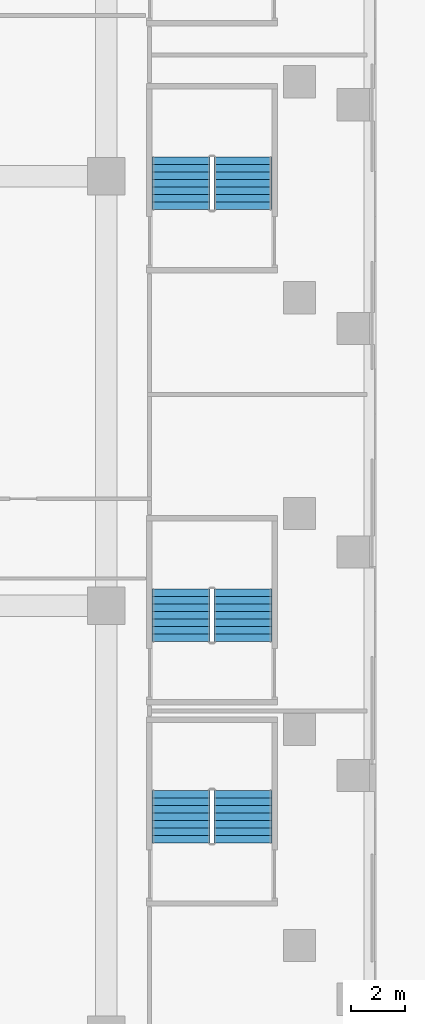
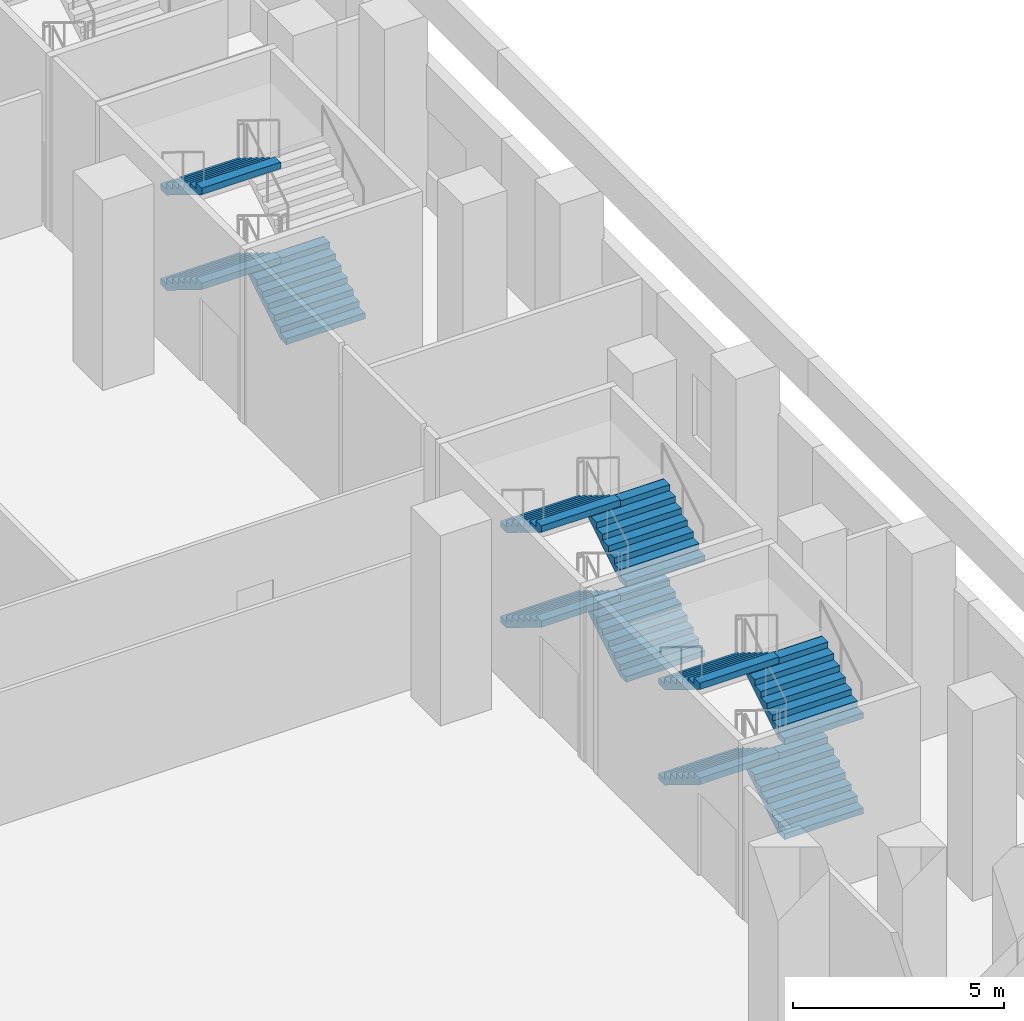
# One storey, part 16 of 22: 11 stair flights, 3 elements without a shape of their own.
"""IFC4 building model written with IfcOpenShell, lengths in metres."""

from ifc_helpers import new_model, si_unit, direction, frame, origin, place, context, subcontext, project, spatial, faceted_brep, source, transform, mapped, material, type_object, element, aggregate, save


model = new_model("IFC4")

# Units and contexts
model_context = context("Model", 3, precision=1e-05, world=origin(), true_north=direction((0.0, 1.0)))
body_context = subcontext(model_context, "Body", "Model", "MODEL_VIEW")
ifc_project = project(units=[si_unit("LENGTHUNIT", "METRE"), si_unit("AREAUNIT", "SQUARE_METRE"), si_unit("VOLUMEUNIT", "CUBIC_METRE"), si_unit("PLANEANGLEUNIT", "RADIAN"), si_unit("MASSUNIT", "GRAM", prefix="KILO")], contexts=[model_context])

# Site, building, storey
site_placement = place(None, origin())
site = spatial("IfcSite", under=ifc_project, at=site_placement, CompositionType="ELEMENT")
building_placement = place(site_placement, origin())
building = spatial("IfcBuilding", under=site, at=building_placement, Name="Calabash Gate Tower", CompositionType="ELEMENT")
storey_placement = place(building_placement, frame((0.0, 0.0, 34.5)))
storey = spatial("IfcBuildingStorey", under=building, at=storey_placement, Name="L04", CompositionType="ELEMENT", Elevation=34.5)

# Stair, stair flights
ifc_material_1 = material(Name="Concrete C40/50", Category="concrete")
stair_type = type_object("IfcStairType", Name="Public stair 32 risers of 171.9 mm", PredefinedType="HALF_TURN_STAIR", material=ifc_material_1)
stair_1_placement = place(storey_placement, origin())
stair_1 = element("IfcStair", 1, at=stair_1_placement, inside=storey, type_object=stair_type, Name="L04 Public Stair PS6", PredefinedType="HALF_TURN_STAIR")
ifc_material_2 = material(Name="Concrete C40/50", Category="concrete")
stair_flight_type = type_object("IfcStairFlightType", Name="Exit stair flight SFL", PredefinedType="STRAIGHT", material=ifc_material_2)
shared_shape = source(origin(), body_context, "Body", "Brep", [
    faceted_brep([(-0.0009765625, -1.080078125, 0.0), (0.285888671875, -1.080078125, 0.0), (1.9541015625, -1.080078125, 1.027099609375), (-0.0009765625, 1.080078125, 0.0), (1.9541015625, 1.080078125, 1.027099609375), (0.285888671875, 1.080078125, 0.0), (1.9541015625, -1.080078125, 1.215087890625), (1.952880859375, -1.080078125, 1.215087890625), (1.952880859375, 1.080078125, 1.215087890625), (1.9541015625, 1.080078125, 1.215087890625), (1.952880859375, -1.080078125, 1.203125), (1.952880859375, 1.080078125, 1.203125), (1.674072265625, -1.080078125, 1.203125), (1.674072265625, 1.080078125, 1.203125), (1.674072265625, -1.080078125, 1.03125), (1.674072265625, 1.080078125, 1.03125), (1.39501953125, -1.080078125, 1.03125), (1.39501953125, 1.080078125, 1.03125), (1.39501953125, -1.080078125, 0.859375), (1.39501953125, 1.080078125, 0.859375), (1.115966796875, -1.080078125, 0.859375), (1.115966796875, -1.080078125, 0.6875), (1.115966796875, 1.080078125, 0.6875), (1.115966796875, 1.080078125, 0.859375), (0.8369140625, -1.080078125, 0.6875), (0.8369140625, -1.080078125, 0.515625), (0.8369140625, 1.080078125, 0.515625), (0.8369140625, 1.080078125, 0.6875), (0.55810546875, -1.080078125, 0.515625), (0.55810546875, -1.080078125, 0.34375), (0.55810546875, 1.080078125, 0.34375), (0.55810546875, 1.080078125, 0.515625), (0.279052734375, -1.080078125, 0.34375), (0.279052734375, -1.080078125, 0.171875), (0.279052734375, 1.080078125, 0.171875), (0.279052734375, 1.080078125, 0.34375), (-0.0009765625, -1.080078125, 0.171875), (-0.0009765625, 1.080078125, 0.171875), (0.285888671875, -0.431884765625, 0.0), (1.9541015625, -0.431884765625, 1.027099609375), (0.285888671875, -0.370361328125, 0.0), (1.9541015625, -0.370361328125, 1.027099609375), (0.285888671875, -0.30859375, 0.0), (1.9541015625, -0.30859375, 1.027099609375), (0.285888671875, -0.246826171875, 0.0), (1.9541015625, -0.246826171875, 1.027099609375), (0.285888671875, -0.18505859375, 0.0), (1.9541015625, -0.18505859375, 1.027099609375), (0.285888671875, -0.12353515625, 0.0), (1.9541015625, -0.12353515625, 1.027099609375), (0.285888671875, -0.061767578125, 0.0), (1.9541015625, -0.061767578125, 1.027099609375), (0.285888671875, 0.0, 0.0), (1.9541015625, 0.0, 1.027099609375), (0.285888671875, 0.061767578125, 0.0), (1.9541015625, 0.061767578125, 1.027099609375), (0.285888671875, 0.12353515625, 0.0), (1.9541015625, 0.12353515625, 1.027099609375), (0.285888671875, 0.18505859375, 0.0), (1.9541015625, 0.18505859375, 1.027099609375), (0.285888671875, 0.246826171875, 0.0), (1.9541015625, 0.246826171875, 1.027099609375), (0.285888671875, 0.30859375, 0.0), (1.9541015625, 0.30859375, 1.027099609375), (0.285888671875, 0.370361328125, 0.0), (1.9541015625, 0.370361328125, 1.027099609375), (0.285888671875, 0.431884765625, 0.0), (1.9541015625, 0.431884765625, 1.027099609375), (1.9541015625, -0.431884765625, 1.215087890625), (1.9541015625, -0.370361328125, 1.215087890625), (1.9541015625, -0.30859375, 1.215087890625), (1.9541015625, -0.246826171875, 1.215087890625), (1.9541015625, -0.18505859375, 1.215087890625), (1.9541015625, -0.12353515625, 1.215087890625), (1.9541015625, -0.061767578125, 1.215087890625), (1.9541015625, 0.0, 1.215087890625), (1.9541015625, 0.061767578125, 1.215087890625), (1.9541015625, 0.12353515625, 1.215087890625), (1.9541015625, 0.18505859375, 1.215087890625), (1.9541015625, 0.246826171875, 1.215087890625), (1.9541015625, 0.30859375, 1.215087890625), (1.9541015625, 0.370361328125, 1.215087890625), (1.9541015625, 0.431884765625, 1.215087890625), (1.952880859375, -0.431884765625, 1.215087890625), (1.952880859375, -0.370361328125, 1.215087890625), (1.952880859375, -0.30859375, 1.215087890625), (1.952880859375, -0.246826171875, 1.215087890625), (1.952880859375, -0.18505859375, 1.215087890625), (1.952880859375, -0.12353515625, 1.215087890625), (1.952880859375, -0.061767578125, 1.215087890625), (1.952880859375, 0.0, 1.215087890625), (1.952880859375, 0.061767578125, 1.215087890625), (1.952880859375, 0.12353515625, 1.215087890625), (1.952880859375, 0.18505859375, 1.215087890625), (1.952880859375, 0.246826171875, 1.215087890625), (1.952880859375, 0.30859375, 1.215087890625), (1.952880859375, 0.370361328125, 1.215087890625), (1.952880859375, 0.431884765625, 1.215087890625), (1.952880859375, -0.431884765625, 1.203125), (1.952880859375, -0.370361328125, 1.203125), (1.952880859375, -0.30859375, 1.203125), (1.952880859375, -0.246826171875, 1.203125), (1.952880859375, -0.18505859375, 1.203125), (1.952880859375, -0.12353515625, 1.203125), (1.952880859375, -0.061767578125, 1.203125), (1.952880859375, 0.0, 1.203125), (1.952880859375, 0.061767578125, 1.203125), (1.952880859375, 0.12353515625, 1.203125), (1.952880859375, 0.18505859375, 1.203125), (1.952880859375, 0.246826171875, 1.203125), (1.952880859375, 0.30859375, 1.203125), (1.952880859375, 0.370361328125, 1.203125), (1.952880859375, 0.431884765625, 1.203125), (1.674072265625, -0.431884765625, 1.203125), (1.674072265625, -0.370361328125, 1.203125), (1.674072265625, -0.30859375, 1.203125), (1.674072265625, -0.246826171875, 1.203125), (1.674072265625, -0.18505859375, 1.203125), (1.674072265625, -0.12353515625, 1.203125), (1.674072265625, -0.061767578125, 1.203125), (1.674072265625, 0.0, 1.203125), (1.674072265625, 0.061767578125, 1.203125), (1.674072265625, 0.12353515625, 1.203125), (1.674072265625, 0.18505859375, 1.203125), (1.674072265625, 0.246826171875, 1.203125), (1.674072265625, 0.30859375, 1.203125), (1.674072265625, 0.370361328125, 1.203125), (1.674072265625, 0.431884765625, 1.203125), (1.674072265625, -0.431884765625, 1.03125), (1.674072265625, -0.370361328125, 1.03125), (1.674072265625, -0.30859375, 1.03125), (1.674072265625, -0.246826171875, 1.03125), (1.674072265625, -0.18505859375, 1.03125), (1.674072265625, -0.12353515625, 1.03125), (1.674072265625, -0.061767578125, 1.03125), (1.674072265625, 0.0, 1.03125), (1.674072265625, 0.061767578125, 1.03125), (1.674072265625, 0.12353515625, 1.03125), (1.674072265625, 0.18505859375, 1.03125), (1.674072265625, 0.246826171875, 1.03125), (1.674072265625, 0.30859375, 1.03125), (1.674072265625, 0.370361328125, 1.03125), (1.674072265625, 0.431884765625, 1.03125), (1.39501953125, -0.431884765625, 1.03125), (1.39501953125, -0.370361328125, 1.03125), (1.39501953125, -0.30859375, 1.03125), (1.39501953125, -0.246826171875, 1.03125), (1.39501953125, -0.18505859375, 1.03125), (1.39501953125, -0.12353515625, 1.03125), (1.39501953125, -0.061767578125, 1.03125), (1.39501953125, 0.0, 1.03125), (1.39501953125, 0.061767578125, 1.03125), (1.39501953125, 0.12353515625, 1.03125), (1.39501953125, 0.18505859375, 1.03125), (1.39501953125, 0.246826171875, 1.03125), (1.39501953125, 0.30859375, 1.03125), (1.39501953125, 0.370361328125, 1.03125), (1.39501953125, 0.431884765625, 1.03125), (1.39501953125, -0.431884765625, 0.859375), (1.39501953125, -0.370361328125, 0.859375), (1.39501953125, -0.30859375, 0.859375), (1.39501953125, -0.246826171875, 0.859375), (1.39501953125, -0.18505859375, 0.859375), (1.39501953125, -0.12353515625, 0.859375), (1.39501953125, -0.061767578125, 0.859375), (1.39501953125, 0.0, 0.859375), (1.39501953125, 0.061767578125, 0.859375), (1.39501953125, 0.12353515625, 0.859375), (1.39501953125, 0.18505859375, 0.859375), (1.39501953125, 0.246826171875, 0.859375), (1.39501953125, 0.30859375, 0.859375), (1.39501953125, 0.370361328125, 0.859375), (1.39501953125, 0.431884765625, 0.859375), (1.115966796875, -0.431884765625, 0.859375), (1.115966796875, -0.370361328125, 0.859375), (1.115966796875, -0.30859375, 0.859375), (1.115966796875, -0.246826171875, 0.859375), (1.115966796875, -0.18505859375, 0.859375), (1.115966796875, -0.12353515625, 0.859375), (1.115966796875, -0.061767578125, 0.859375), (1.115966796875, 0.0, 0.859375), (1.115966796875, 0.061767578125, 0.859375), (1.115966796875, 0.12353515625, 0.859375), (1.115966796875, 0.18505859375, 0.859375), (1.115966796875, 0.246826171875, 0.859375), (1.115966796875, 0.30859375, 0.859375), (1.115966796875, 0.370361328125, 0.859375), (1.115966796875, 0.431884765625, 0.859375), (1.115966796875, -0.431884765625, 0.6875), (1.115966796875, -0.370361328125, 0.6875), (1.115966796875, -0.30859375, 0.6875), (1.115966796875, -0.246826171875, 0.6875), (1.115966796875, -0.18505859375, 0.6875), (1.115966796875, -0.12353515625, 0.6875), (1.115966796875, -0.061767578125, 0.6875), (1.115966796875, 0.0, 0.6875), (1.115966796875, 0.061767578125, 0.6875), (1.115966796875, 0.12353515625, 0.6875), (1.115966796875, 0.18505859375, 0.6875), (1.115966796875, 0.246826171875, 0.6875), (1.115966796875, 0.30859375, 0.6875), (1.115966796875, 0.370361328125, 0.6875), (1.115966796875, 0.431884765625, 0.6875), (0.8369140625, -0.431884765625, 0.6875), (0.8369140625, -0.370361328125, 0.6875), (0.8369140625, -0.30859375, 0.6875), (0.8369140625, -0.246826171875, 0.6875), (0.8369140625, -0.18505859375, 0.6875), (0.8369140625, -0.12353515625, 0.6875), (0.8369140625, -0.061767578125, 0.6875), (0.8369140625, 0.0, 0.6875), (0.8369140625, 0.061767578125, 0.6875), (0.8369140625, 0.12353515625, 0.6875), (0.8369140625, 0.18505859375, 0.6875), (0.8369140625, 0.246826171875, 0.6875), (0.8369140625, 0.30859375, 0.6875), (0.8369140625, 0.370361328125, 0.6875), (0.8369140625, 0.431884765625, 0.6875), (0.8369140625, -0.431884765625, 0.515625), (0.8369140625, -0.370361328125, 0.515625), (0.8369140625, -0.30859375, 0.515625), (0.8369140625, -0.246826171875, 0.515625), (0.8369140625, -0.18505859375, 0.515625), (0.8369140625, -0.12353515625, 0.515625), (0.8369140625, -0.061767578125, 0.515625), (0.8369140625, 0.0, 0.515625), (0.8369140625, 0.061767578125, 0.515625), (0.8369140625, 0.12353515625, 0.515625), (0.8369140625, 0.18505859375, 0.515625), (0.8369140625, 0.246826171875, 0.515625), (0.8369140625, 0.30859375, 0.515625), (0.8369140625, 0.370361328125, 0.515625), (0.8369140625, 0.431884765625, 0.515625), (0.55810546875, -0.431884765625, 0.515625), (0.55810546875, -0.370361328125, 0.515625), (0.55810546875, -0.30859375, 0.515625), (0.55810546875, -0.246826171875, 0.515625), (0.55810546875, -0.18505859375, 0.515625), (0.55810546875, -0.12353515625, 0.515625), (0.55810546875, -0.061767578125, 0.515625), (0.55810546875, 0.0, 0.515625), (0.55810546875, 0.061767578125, 0.515625), (0.55810546875, 0.12353515625, 0.515625), (0.55810546875, 0.18505859375, 0.515625), (0.55810546875, 0.246826171875, 0.515625), (0.55810546875, 0.30859375, 0.515625), (0.55810546875, 0.370361328125, 0.515625), (0.55810546875, 0.431884765625, 0.515625), (0.55810546875, -0.431884765625, 0.34375), (0.55810546875, -0.370361328125, 0.34375), (0.55810546875, -0.30859375, 0.34375), (0.55810546875, -0.246826171875, 0.34375), (0.55810546875, -0.18505859375, 0.34375), (0.55810546875, -0.12353515625, 0.34375), (0.55810546875, -0.061767578125, 0.34375), (0.55810546875, 0.0, 0.34375), (0.55810546875, 0.061767578125, 0.34375), (0.55810546875, 0.12353515625, 0.34375), (0.55810546875, 0.18505859375, 0.34375), (0.55810546875, 0.246826171875, 0.34375), (0.55810546875, 0.30859375, 0.34375), (0.55810546875, 0.370361328125, 0.34375), (0.55810546875, 0.431884765625, 0.34375), (0.279052734375, -0.431884765625, 0.34375), (0.279052734375, -0.370361328125, 0.34375), (0.279052734375, -0.30859375, 0.34375), (0.279052734375, -0.246826171875, 0.34375), (0.279052734375, -0.18505859375, 0.34375), (0.279052734375, -0.12353515625, 0.34375), (0.279052734375, -0.061767578125, 0.34375), (0.279052734375, 0.0, 0.34375), (0.279052734375, 0.061767578125, 0.34375), (0.279052734375, 0.12353515625, 0.34375), (0.279052734375, 0.18505859375, 0.34375), (0.279052734375, 0.246826171875, 0.34375), (0.279052734375, 0.30859375, 0.34375), (0.279052734375, 0.370361328125, 0.34375), (0.279052734375, 0.431884765625, 0.34375), (0.279052734375, -0.431884765625, 0.171875), (0.279052734375, -0.370361328125, 0.171875), (0.279052734375, -0.30859375, 0.171875), (0.279052734375, -0.246826171875, 0.171875), (0.279052734375, -0.18505859375, 0.171875), (0.279052734375, -0.12353515625, 0.171875), (0.279052734375, -0.061767578125, 0.171875), (0.279052734375, 0.0, 0.171875), (0.279052734375, 0.061767578125, 0.171875), (0.279052734375, 0.12353515625, 0.171875), (0.279052734375, 0.18505859375, 0.171875), (0.279052734375, 0.246826171875, 0.171875), (0.279052734375, 0.30859375, 0.171875), (0.279052734375, 0.370361328125, 0.171875), (0.279052734375, 0.431884765625, 0.171875), (-0.0009765625, -0.431884765625, 0.171875), (-0.0009765625, -0.370361328125, 0.171875), (-0.0009765625, -0.30859375, 0.171875), (-0.0009765625, -0.246826171875, 0.171875), (-0.0009765625, -0.18505859375, 0.171875), (-0.0009765625, -0.12353515625, 0.171875), (-0.0009765625, -0.061767578125, 0.171875), (-0.0009765625, 0.0, 0.171875), (-0.0009765625, 0.061767578125, 0.171875), (-0.0009765625, 0.12353515625, 0.171875), (-0.0009765625, 0.18505859375, 0.171875), (-0.0009765625, 0.246826171875, 0.171875), (-0.0009765625, 0.30859375, 0.171875), (-0.0009765625, 0.370361328125, 0.171875), (-0.0009765625, 0.431884765625, 0.171875), (-0.0009765625, -0.431884765625, 0.0), (-0.0009765625, -0.370361328125, 0.0), (-0.0009765625, -0.30859375, 0.0), (-0.0009765625, -0.246826171875, 0.0), (-0.0009765625, -0.18505859375, 0.0), (-0.0009765625, -0.12353515625, 0.0), (-0.0009765625, -0.061767578125, 0.0), (-0.0009765625, 0.0, 0.0), (-0.0009765625, 0.061767578125, 0.0), (-0.0009765625, 0.12353515625, 0.0), (-0.0009765625, 0.18505859375, 0.0), (-0.0009765625, 0.246826171875, 0.0), (-0.0009765625, 0.30859375, 0.0), (-0.0009765625, 0.370361328125, 0.0), (-0.0009765625, 0.431884765625, 0.0)], [[[0, 1, 2]], [[3, 4, 5]], [[2, 6, 7]], [[4, 8, 9]], [[2, 7, 10]], [[4, 11, 8]], [[2, 10, 12]], [[4, 13, 11]], [[2, 12, 14]], [[4, 15, 13]], [[2, 14, 16]], [[4, 17, 15]], [[2, 16, 18]], [[4, 19, 17]], [[18, 20, 21]], [[19, 22, 23]], [[2, 18, 21]], [[4, 22, 19]], [[21, 24, 25]], [[22, 26, 27]], [[2, 21, 25]], [[4, 26, 22]], [[25, 28, 29]], [[26, 30, 31]], [[2, 25, 29]], [[4, 30, 26]], [[29, 32, 33]], [[30, 34, 35]], [[2, 29, 33]], [[4, 34, 30]], [[0, 2, 33]], [[3, 34, 4]], [[33, 36, 0]], [[34, 3, 37]], [[1, 38, 2]], [[38, 39, 2]], [[38, 40, 39]], [[40, 41, 39]], [[40, 42, 41]], [[42, 43, 41]], [[42, 44, 43]], [[44, 45, 43]], [[44, 46, 45]], [[46, 47, 45]], [[46, 48, 47]], [[48, 49, 47]], [[48, 50, 49]], [[50, 51, 49]], [[50, 52, 51]], [[52, 53, 51]], [[52, 54, 55]], [[52, 55, 53]], [[54, 56, 57]], [[54, 57, 55]], [[56, 58, 59]], [[56, 59, 57]], [[58, 60, 61]], [[58, 61, 59]], [[60, 62, 63]], [[60, 63, 61]], [[62, 64, 65]], [[62, 65, 63]], [[64, 66, 67]], [[64, 67, 65]], [[66, 5, 4]], [[66, 4, 67]], [[2, 39, 6]], [[39, 68, 6]], [[39, 41, 68]], [[41, 69, 68]], [[41, 43, 69]], [[43, 70, 69]], [[43, 45, 70]], [[45, 71, 70]], [[45, 47, 71]], [[47, 72, 71]], [[47, 49, 72]], [[49, 73, 72]], [[49, 51, 73]], [[51, 74, 73]], [[51, 53, 74]], [[53, 75, 74]], [[53, 55, 76]], [[53, 76, 75]], [[55, 57, 77]], [[55, 77, 76]], [[57, 59, 78]], [[57, 78, 77]], [[59, 61, 79]], [[59, 79, 78]], [[61, 63, 80]], [[61, 80, 79]], [[63, 65, 81]], [[63, 81, 80]], [[65, 67, 82]], [[65, 82, 81]], [[67, 4, 9]], [[67, 9, 82]], [[6, 68, 7]], [[68, 83, 7]], [[68, 69, 83]], [[69, 84, 83]], [[69, 70, 84]], [[70, 85, 84]], [[70, 71, 85]], [[71, 86, 85]], [[71, 72, 86]], [[72, 87, 86]], [[72, 73, 87]], [[73, 88, 87]], [[73, 74, 88]], [[74, 89, 88]], [[74, 75, 89]], [[75, 90, 89]], [[75, 76, 91]], [[75, 91, 90]], [[76, 77, 92]], [[76, 92, 91]], [[77, 78, 93]], [[77, 93, 92]], [[78, 79, 94]], [[78, 94, 93]], [[79, 80, 95]], [[79, 95, 94]], [[80, 81, 96]], [[80, 96, 95]], [[81, 82, 97]], [[81, 97, 96]], [[82, 9, 8]], [[82, 8, 97]], [[7, 83, 10]], [[83, 98, 10]], [[83, 84, 98]], [[84, 99, 98]], [[84, 85, 99]], [[85, 100, 99]], [[85, 86, 100]], [[86, 101, 100]], [[86, 87, 101]], [[87, 102, 101]], [[87, 88, 102]], [[88, 103, 102]], [[88, 89, 103]], [[89, 104, 103]], [[89, 90, 104]], [[90, 105, 104]], [[90, 91, 106]], [[90, 106, 105]], [[91, 92, 107]], [[91, 107, 106]], [[92, 93, 108]], [[92, 108, 107]], [[93, 94, 109]], [[93, 109, 108]], [[94, 95, 110]], [[94, 110, 109]], [[95, 96, 111]], [[95, 111, 110]], [[96, 97, 112]], [[96, 112, 111]], [[97, 8, 11]], [[97, 11, 112]], [[10, 98, 12]], [[98, 113, 12]], [[98, 99, 113]], [[99, 114, 113]], [[99, 100, 114]], [[100, 115, 114]], [[100, 101, 115]], [[101, 116, 115]], [[101, 102, 116]], [[102, 117, 116]], [[102, 103, 117]], [[103, 118, 117]], [[103, 104, 118]], [[104, 119, 118]], [[104, 105, 119]], [[105, 120, 119]], [[105, 106, 121]], [[105, 121, 120]], [[106, 107, 122]], [[106, 122, 121]], [[107, 108, 123]], [[107, 123, 122]], [[108, 109, 124]], [[108, 124, 123]], [[109, 110, 125]], [[109, 125, 124]], [[110, 111, 126]], [[110, 126, 125]], [[111, 112, 127]], [[111, 127, 126]], [[112, 11, 13]], [[112, 13, 127]], [[12, 113, 14]], [[113, 128, 14]], [[113, 114, 128]], [[114, 129, 128]], [[114, 115, 129]], [[115, 130, 129]], [[115, 116, 130]], [[116, 131, 130]], [[116, 117, 131]], [[117, 132, 131]], [[117, 118, 132]], [[118, 133, 132]], [[118, 119, 133]], [[119, 134, 133]], [[119, 120, 134]], [[120, 135, 134]], [[120, 121, 136]], [[120, 136, 135]], [[121, 122, 137]], [[121, 137, 136]], [[122, 123, 138]], [[122, 138, 137]], [[123, 124, 139]], [[123, 139, 138]], [[124, 125, 140]], [[124, 140, 139]], [[125, 126, 141]], [[125, 141, 140]], [[126, 127, 142]], [[126, 142, 141]], [[127, 13, 15]], [[127, 15, 142]], [[14, 128, 16]], [[128, 143, 16]], [[128, 129, 143]], [[129, 144, 143]], [[129, 130, 144]], [[130, 145, 144]], [[130, 131, 145]], [[131, 146, 145]], [[131, 132, 146]], [[132, 147, 146]], [[132, 133, 147]], [[133, 148, 147]], [[133, 134, 148]], [[134, 149, 148]], [[134, 135, 149]], [[135, 150, 149]], [[135, 136, 151]], [[135, 151, 150]], [[136, 137, 152]], [[136, 152, 151]], [[137, 138, 153]], [[137, 153, 152]], [[138, 139, 154]], [[138, 154, 153]], [[139, 140, 155]], [[139, 155, 154]], [[140, 141, 156]], [[140, 156, 155]], [[141, 142, 157]], [[141, 157, 156]], [[142, 15, 17]], [[142, 17, 157]], [[16, 143, 18]], [[143, 158, 18]], [[143, 144, 158]], [[144, 159, 158]], [[144, 145, 159]], [[145, 160, 159]], [[145, 146, 160]], [[146, 161, 160]], [[146, 147, 161]], [[147, 162, 161]], [[147, 148, 162]], [[148, 163, 162]], [[148, 149, 163]], [[149, 164, 163]], [[149, 150, 164]], [[150, 165, 164]], [[150, 151, 166]], [[150, 166, 165]], [[151, 152, 167]], [[151, 167, 166]], [[152, 153, 168]], [[152, 168, 167]], [[153, 154, 169]], [[153, 169, 168]], [[154, 155, 170]], [[154, 170, 169]], [[155, 156, 171]], [[155, 171, 170]], [[156, 157, 172]], [[156, 172, 171]], [[157, 17, 19]], [[157, 19, 172]], [[18, 158, 20]], [[158, 173, 20]], [[158, 159, 173]], [[159, 174, 173]], [[159, 160, 174]], [[160, 175, 174]], [[160, 161, 175]], [[161, 176, 175]], [[161, 162, 176]], [[162, 177, 176]], [[162, 163, 177]], [[163, 178, 177]], [[163, 164, 178]], [[164, 179, 178]], [[164, 165, 179]], [[165, 180, 179]], [[165, 166, 181]], [[165, 181, 180]], [[166, 167, 182]], [[166, 182, 181]], [[167, 168, 183]], [[167, 183, 182]], [[168, 169, 184]], [[168, 184, 183]], [[169, 170, 185]], [[169, 185, 184]], [[170, 171, 186]], [[170, 186, 185]], [[171, 172, 187]], [[171, 187, 186]], [[172, 19, 23]], [[172, 23, 187]], [[20, 173, 21]], [[173, 188, 21]], [[173, 174, 188]], [[174, 189, 188]], [[174, 175, 189]], [[175, 190, 189]], [[175, 176, 190]], [[176, 191, 190]], [[176, 177, 191]], [[177, 192, 191]], [[177, 178, 192]], [[178, 193, 192]], [[178, 179, 193]], [[179, 194, 193]], [[179, 180, 194]], [[180, 195, 194]], [[180, 181, 196]], [[180, 196, 195]], [[181, 182, 197]], [[181, 197, 196]], [[182, 183, 198]], [[182, 198, 197]], [[183, 184, 199]], [[183, 199, 198]], [[184, 185, 200]], [[184, 200, 199]], [[185, 186, 201]], [[185, 201, 200]], [[186, 187, 202]], [[186, 202, 201]], [[187, 23, 22]], [[187, 22, 202]], [[21, 188, 24]], [[188, 203, 24]], [[188, 189, 203]], [[189, 204, 203]], [[189, 190, 204]], [[190, 205, 204]], [[190, 191, 205]], [[191, 206, 205]], [[191, 192, 206]], [[192, 207, 206]], [[192, 193, 207]], [[193, 208, 207]], [[193, 194, 208]], [[194, 209, 208]], [[194, 195, 209]], [[195, 210, 209]], [[195, 196, 211]], [[195, 211, 210]], [[196, 197, 212]], [[196, 212, 211]], [[197, 198, 213]], [[197, 213, 212]], [[198, 199, 214]], [[198, 214, 213]], [[199, 200, 215]], [[199, 215, 214]], [[200, 201, 216]], [[200, 216, 215]], [[201, 202, 217]], [[201, 217, 216]], [[202, 22, 27]], [[202, 27, 217]], [[24, 203, 25]], [[203, 218, 25]], [[203, 204, 218]], [[204, 219, 218]], [[204, 205, 219]], [[205, 220, 219]], [[205, 206, 220]], [[206, 221, 220]], [[206, 207, 221]], [[207, 222, 221]], [[207, 208, 222]], [[208, 223, 222]], [[208, 209, 223]], [[209, 224, 223]], [[209, 210, 224]], [[210, 225, 224]], [[210, 211, 226]], [[210, 226, 225]], [[211, 212, 227]], [[211, 227, 226]], [[212, 213, 228]], [[212, 228, 227]], [[213, 214, 229]], [[213, 229, 228]], [[214, 215, 230]], [[214, 230, 229]], [[215, 216, 231]], [[215, 231, 230]], [[216, 217, 232]], [[216, 232, 231]], [[217, 27, 26]], [[217, 26, 232]], [[25, 218, 28]], [[218, 233, 28]], [[218, 219, 233]], [[219, 234, 233]], [[219, 220, 234]], [[220, 235, 234]], [[220, 221, 235]], [[221, 236, 235]], [[221, 222, 236]], [[222, 237, 236]], [[222, 223, 237]], [[223, 238, 237]], [[223, 224, 238]], [[224, 239, 238]], [[224, 225, 239]], [[225, 240, 239]], [[225, 226, 241]], [[225, 241, 240]], [[226, 227, 242]], [[226, 242, 241]], [[227, 228, 243]], [[227, 243, 242]], [[228, 229, 244]], [[228, 244, 243]], [[229, 230, 245]], [[229, 245, 244]], [[230, 231, 246]], [[230, 246, 245]], [[231, 232, 247]], [[231, 247, 246]], [[232, 26, 31]], [[232, 31, 247]], [[28, 233, 29]], [[233, 248, 29]], [[233, 234, 248]], [[234, 249, 248]], [[234, 235, 249]], [[235, 250, 249]], [[235, 236, 250]], [[236, 251, 250]], [[236, 237, 251]], [[237, 252, 251]], [[237, 238, 252]], [[238, 253, 252]], [[238, 239, 253]], [[239, 254, 253]], [[239, 240, 254]], [[240, 255, 254]], [[240, 241, 256]], [[240, 256, 255]], [[241, 242, 257]], [[241, 257, 256]], [[242, 243, 258]], [[242, 258, 257]], [[243, 244, 259]], [[243, 259, 258]], [[244, 245, 260]], [[244, 260, 259]], [[245, 246, 261]], [[245, 261, 260]], [[246, 247, 262]], [[246, 262, 261]], [[247, 31, 30]], [[247, 30, 262]], [[29, 248, 32]], [[248, 263, 32]], [[248, 249, 263]], [[249, 264, 263]], [[249, 250, 264]], [[250, 265, 264]], [[250, 251, 265]], [[251, 266, 265]], [[251, 252, 266]], [[252, 267, 266]], [[252, 253, 267]], [[253, 268, 267]], [[253, 254, 268]], [[254, 269, 268]], [[254, 255, 269]], [[255, 270, 269]], [[255, 256, 271]], [[255, 271, 270]], [[256, 257, 272]], [[256, 272, 271]], [[257, 258, 273]], [[257, 273, 272]], [[258, 259, 274]], [[258, 274, 273]], [[259, 260, 275]], [[259, 275, 274]], [[260, 261, 276]], [[260, 276, 275]], [[261, 262, 277]], [[261, 277, 276]], [[262, 30, 35]], [[262, 35, 277]], [[32, 263, 33]], [[263, 278, 33]], [[263, 264, 278]], [[264, 279, 278]], [[264, 265, 279]], [[265, 280, 279]], [[265, 266, 280]], [[266, 281, 280]], [[266, 267, 281]], [[267, 282, 281]], [[267, 268, 282]], [[268, 283, 282]], [[268, 269, 283]], [[269, 284, 283]], [[269, 270, 284]], [[270, 285, 284]], [[270, 271, 286]], [[270, 286, 285]], [[271, 272, 287]], [[271, 287, 286]], [[272, 273, 288]], [[272, 288, 287]], [[273, 274, 289]], [[273, 289, 288]], [[274, 275, 290]], [[274, 290, 289]], [[275, 276, 291]], [[275, 291, 290]], [[276, 277, 292]], [[276, 292, 291]], [[277, 35, 34]], [[277, 34, 292]], [[33, 278, 36]], [[278, 293, 36]], [[278, 279, 293]], [[279, 294, 293]], [[279, 280, 294]], [[280, 295, 294]], [[280, 281, 295]], [[281, 296, 295]], [[281, 282, 296]], [[282, 297, 296]], [[282, 283, 297]], [[283, 298, 297]], [[283, 284, 298]], [[284, 299, 298]], [[284, 285, 299]], [[285, 300, 299]], [[285, 286, 301]], [[285, 301, 300]], [[286, 287, 302]], [[286, 302, 301]], [[287, 288, 303]], [[287, 303, 302]], [[288, 289, 304]], [[288, 304, 303]], [[289, 290, 305]], [[289, 305, 304]], [[290, 291, 306]], [[290, 306, 305]], [[291, 292, 307]], [[291, 307, 306]], [[292, 34, 37]], [[292, 37, 307]], [[36, 293, 0]], [[293, 308, 0]], [[293, 294, 308]], [[294, 309, 308]], [[294, 295, 309]], [[295, 310, 309]], [[295, 296, 310]], [[296, 311, 310]], [[296, 297, 311]], [[297, 312, 311]], [[297, 298, 312]], [[298, 313, 312]], [[298, 299, 313]], [[299, 314, 313]], [[299, 300, 314]], [[300, 315, 314]], [[300, 301, 316]], [[300, 316, 315]], [[301, 302, 317]], [[301, 317, 316]], [[302, 303, 318]], [[302, 318, 317]], [[303, 304, 319]], [[303, 319, 318]], [[304, 305, 320]], [[304, 320, 319]], [[305, 306, 321]], [[305, 321, 320]], [[306, 307, 322]], [[306, 322, 321]], [[307, 37, 3]], [[307, 3, 322]], [[0, 308, 1]], [[308, 38, 1]], [[308, 309, 38]], [[309, 40, 38]], [[309, 310, 40]], [[310, 42, 40]], [[310, 311, 42]], [[311, 44, 42]], [[311, 312, 44]], [[312, 46, 44]], [[312, 313, 46]], [[313, 48, 46]], [[313, 314, 48]], [[314, 50, 48]], [[314, 315, 50]], [[315, 52, 50]], [[315, 316, 54]], [[315, 54, 52]], [[316, 317, 56]], [[316, 56, 54]], [[317, 318, 58]], [[317, 58, 56]], [[318, 319, 60]], [[318, 60, 58]], [[319, 320, 62]], [[319, 62, 60]], [[320, 321, 64]], [[320, 64, 62]], [[321, 322, 66]], [[321, 66, 64]], [[322, 3, 5]], [[322, 5, 66]]]),
])
stair_flight_1_placement = place(storey_placement, frame((37.090087890625, -32.840087890625, 0.0), z_axis=(0.0, 0.0, 1.0), x_axis=(0.0, 1.0, 0.0)))
stair_flight_1 = element("IfcStairFlight", 2, at=stair_flight_1_placement, type_object=stair_flight_type, Name="PS6 flight 1", NumberOfRisers=8, NumberOfTreads=7, PredefinedType="STRAIGHT", RiserHeight=0.171875, TreadLength=0.279, context=body_context, shape_type="MappedRepresentation", body=[
    mapped(shared_shape, transform((0.0, 0.0, 0.0), scale=1.0)),
])
stair_flight_2_placement = place(storey_placement, frame((34.780029296875, -30.886962890625, 1.375), z_axis=(0.0, 0.0, 1.0), x_axis=(0.0, -1.0, 0.0)))
stair_flight_2 = element("IfcStairFlight", 3, at=stair_flight_2_placement, type_object=stair_flight_type, Name="PS6 flight 2", NumberOfRisers=8, NumberOfTreads=7, PredefinedType="STRAIGHT", RiserHeight=0.171875, TreadLength=0.279, context=body_context, shape_type="MappedRepresentation", body=[
    mapped(shared_shape, transform((0.0, 0.0, 0.0), scale=1.0)),
])
stair_flight_3_placement = place(storey_placement, frame((37.090087890625, -32.840087890625, 2.75), z_axis=(0.0, 0.0, 1.0), x_axis=(0.0, 1.0, 0.0)))
stair_flight_3 = element("IfcStairFlight", 4, at=stair_flight_3_placement, type_object=stair_flight_type, Name="PS6 flight 3", NumberOfRisers=8, NumberOfTreads=7, PredefinedType="STRAIGHT", RiserHeight=0.171875, TreadLength=0.279, context=body_context, shape_type="MappedRepresentation", body=[
    mapped(shared_shape, transform((0.0, 0.0, 0.0), scale=1.0)),
])
stair_flight_4_placement = place(storey_placement, frame((34.780029296875, -30.886962890625, 4.125), z_axis=(0.0, 0.0, 1.0), x_axis=(0.0, -1.0, 0.0)))
stair_flight_4 = element("IfcStairFlight", 5, at=stair_flight_4_placement, type_object=stair_flight_type, Name="PS6 flight 4", NumberOfRisers=8, NumberOfTreads=7, PredefinedType="STRAIGHT", RiserHeight=0.171875, TreadLength=0.279, context=body_context, shape_type="MappedRepresentation", body=[
    mapped(shared_shape, transform((0.0, 0.0, 0.0), scale=1.0)),
])
aggregate(stair_1, [stair_flight_1, stair_flight_2, stair_flight_3, stair_flight_4])

stair_2_placement = place(storey_placement, origin())
stair_2 = element("IfcStair", 6, at=stair_2_placement, inside=storey, type_object=stair_type, Name="L04 Public Stair PS7", PredefinedType="HALF_TURN_STAIR")
stair_flight_5_placement = place(storey_placement, frame((37.090087890625, -25.340087890625, 0.0), z_axis=(0.0, 0.0, 1.0), x_axis=(0.0, 1.0, 0.0)))
stair_flight_5 = element("IfcStairFlight", 7, at=stair_flight_5_placement, type_object=stair_flight_type, Name="PS7 flight 1", NumberOfRisers=8, NumberOfTreads=7, PredefinedType="STRAIGHT", RiserHeight=0.171875, TreadLength=0.279, context=body_context, shape_type="MappedRepresentation", body=[
    mapped(shared_shape, transform((0.0, 0.0, 0.0), scale=1.0)),
])
stair_flight_6_placement = place(storey_placement, frame((34.780029296875, -23.386962890625, 1.375), z_axis=(0.0, 0.0, 1.0), x_axis=(0.0, -1.0, 0.0)))
stair_flight_6 = element("IfcStairFlight", 8, at=stair_flight_6_placement, type_object=stair_flight_type, Name="PS7 flight 2", NumberOfRisers=8, NumberOfTreads=7, PredefinedType="STRAIGHT", RiserHeight=0.171875, TreadLength=0.279, context=body_context, shape_type="MappedRepresentation", body=[
    mapped(shared_shape, transform((0.0, 0.0, 0.0), scale=1.0)),
])
stair_flight_7_placement = place(storey_placement, frame((37.090087890625, -25.340087890625, 2.75), z_axis=(0.0, 0.0, 1.0), x_axis=(0.0, 1.0, 0.0)))
stair_flight_7 = element("IfcStairFlight", 9, at=stair_flight_7_placement, type_object=stair_flight_type, Name="PS7 flight 3", NumberOfRisers=8, NumberOfTreads=7, PredefinedType="STRAIGHT", RiserHeight=0.171875, TreadLength=0.279, context=body_context, shape_type="MappedRepresentation", body=[
    mapped(shared_shape, transform((0.0, 0.0, 0.0), scale=1.0)),
])
stair_flight_8_placement = place(storey_placement, frame((34.780029296875, -23.386962890625, 4.125), z_axis=(0.0, 0.0, 1.0), x_axis=(0.0, -1.0, 0.0)))
stair_flight_8 = element("IfcStairFlight", 10, at=stair_flight_8_placement, type_object=stair_flight_type, Name="PS7 flight 4", NumberOfRisers=8, NumberOfTreads=7, PredefinedType="STRAIGHT", RiserHeight=0.171875, TreadLength=0.279, context=body_context, shape_type="MappedRepresentation", body=[
    mapped(shared_shape, transform((0.0, 0.0, 0.0), scale=1.0)),
])
aggregate(stair_2, [stair_flight_5, stair_flight_6, stair_flight_7, stair_flight_8])

stair_3_placement = place(storey_placement, origin())
stair_3 = element("IfcStair", 11, at=stair_3_placement, inside=storey, type_object=stair_type, Name="L04 Public Stair PS8", PredefinedType="HALF_TURN_STAIR")
stair_flight_9_placement = place(storey_placement, frame((37.090087890625, -9.239990234375, 0.0), z_axis=(0.0, 0.0, 1.0), x_axis=(0.0, 1.0, 0.0)))
stair_flight_9 = element("IfcStairFlight", 12, at=stair_flight_9_placement, type_object=stair_flight_type, Name="PS8 flight 1", NumberOfRisers=8, NumberOfTreads=7, PredefinedType="STRAIGHT", RiserHeight=0.171875, TreadLength=0.279, context=body_context, shape_type="MappedRepresentation", body=[
    mapped(shared_shape, transform((0.0, 0.0, 0.0), scale=1.0)),
])
stair_flight_10_placement = place(storey_placement, frame((34.780029296875, -7.287109375, 1.375), z_axis=(0.0, 0.0, 1.0), x_axis=(0.0, -1.0, 0.0)))
stair_flight_10 = element("IfcStairFlight", 13, at=stair_flight_10_placement, type_object=stair_flight_type, Name="PS8 flight 2", NumberOfRisers=8, NumberOfTreads=7, PredefinedType="STRAIGHT", RiserHeight=0.171875, TreadLength=0.279, context=body_context, shape_type="MappedRepresentation", body=[
    mapped(shared_shape, transform((0.0, 0.0, 0.0), scale=1.0)),
])
stair_flight_11_placement = place(storey_placement, frame((34.780029296875, -7.287109375, 4.125), z_axis=(0.0, 0.0, 1.0), x_axis=(0.0, -1.0, 0.0)))
stair_flight_11 = element("IfcStairFlight", 14, at=stair_flight_11_placement, type_object=stair_flight_type, Name="PS8 flight 4", NumberOfRisers=8, NumberOfTreads=7, PredefinedType="STRAIGHT", RiserHeight=0.171875, TreadLength=0.279, context=body_context, shape_type="MappedRepresentation", body=[
    mapped(shared_shape, transform((0.0, 0.0, 0.0), scale=1.0)),
])
aggregate(stair_3, [stair_flight_9, stair_flight_10, stair_flight_11])

save(model, "model.ifc")
